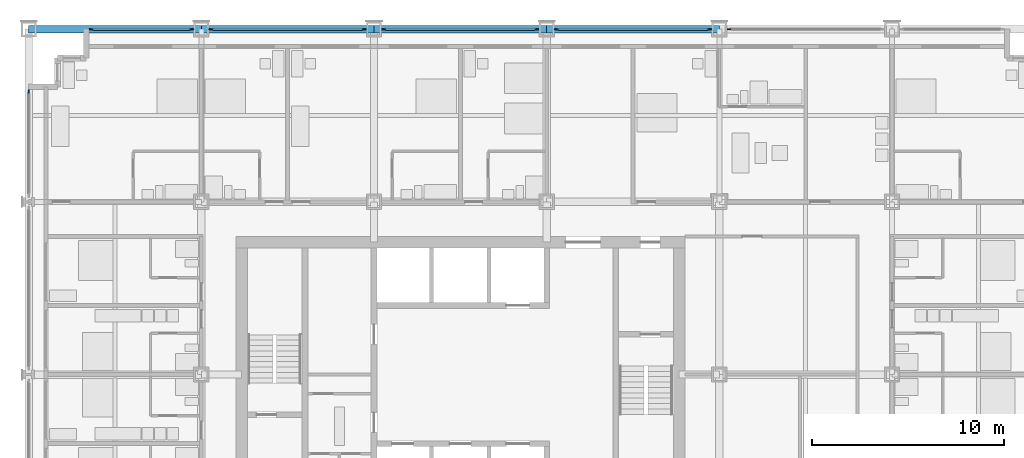
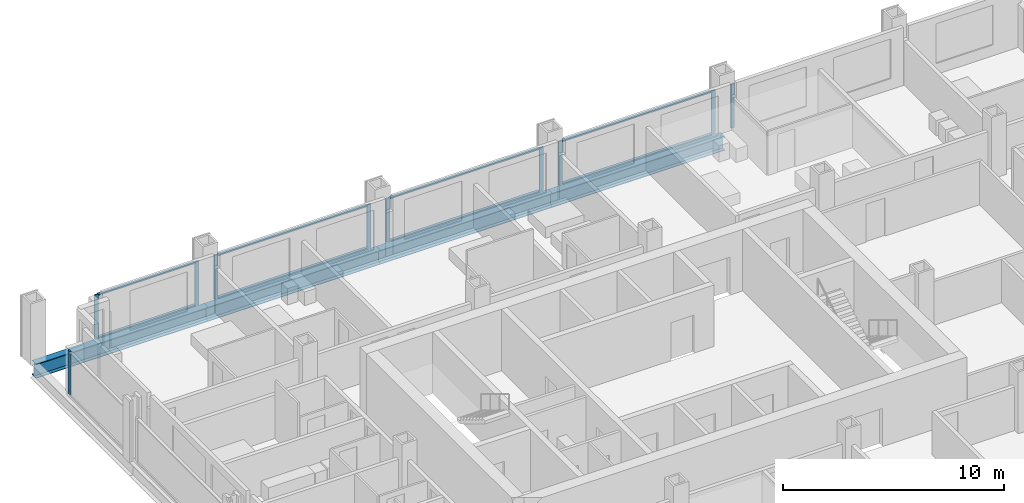
# One storey, part 7 of 18: 18 members, 4 beams, 6 elements without a shape of their own.
"""IFC4 building model written with IfcOpenShell, lengths in metres."""

from ifc_helpers import new_model, si_unit, direction, frame, origin, origin_2d, place, context, subcontext, project, spatial, rectangle, i_section, extrude, material, material_profile, profile_set, type_object, element, aggregate, save


model = new_model("IFC4")

# Units and contexts
model_context = context("Model", 3, precision=1e-05, world=origin(), true_north=direction((0.0, 1.0)))
body_context = subcontext(model_context, "Body", "Model", "MODEL_VIEW")
ifc_project = project(units=[si_unit("LENGTHUNIT", "METRE"), si_unit("AREAUNIT", "SQUARE_METRE"), si_unit("VOLUMEUNIT", "CUBIC_METRE"), si_unit("PLANEANGLEUNIT", "RADIAN"), si_unit("MASSUNIT", "GRAM", prefix="KILO")], contexts=[model_context])

# Site, building, storey
site_placement = place(None, origin())
site = spatial("IfcSite", under=ifc_project, at=site_placement, CompositionType="ELEMENT")
building_placement = place(site_placement, origin())
building = spatial("IfcBuilding", under=site, at=building_placement, Name="Loomwork Tower", CompositionType="ELEMENT")
storey_placement = place(building_placement, frame((0.0, 0.0, 51.800048828125)))
storey = spatial("IfcBuildingStorey", under=building, at=storey_placement, Name="L12", CompositionType="ELEMENT", Elevation=51.800048828125)

# Curtain wall, members
ifc_material_1 = material(Name="Aluminium curtain wall frame", Category="aluminium")
curtain_wall_type = type_object("IfcCurtainWallType", Name="Outer skin glazing hotel", PredefinedType="NOTDEFINED", material=ifc_material_1)
curtain_wall_1_placement = place(storey_placement, origin())
curtain_wall_1 = element("IfcCurtainWall", 1, at=curtain_wall_1_placement, inside=storey, type_object=curtain_wall_type, Name="Outer skin glazing hotel cw/N-0", PredefinedType="NOTDEFINED")
ifc_material_2 = material(Name="Aluminium curtain wall frame", Category="aluminium")
ifc_material_profile_1 = material_profile(ifc_material_2, rectangle(XDim=0.06494140625, YDim=0.199951171875, at=origin_2d()), Name="AL 65x200")
ifc_profile_set_1 = profile_set([ifc_material_profile_1], Name="Aluminium curtain wall frame")
member_type_1 = type_object("IfcMemberType", Name="Outer skin glazing hotel mullion", PredefinedType="MULLION", material=ifc_profile_set_1)
member_1_placement = place(storey_placement, frame((8.5, 36.0, 0.0), z_axis=(0.0, 0.0, 1.0), x_axis=(0.0, -1.0, 0.0)))
member_1 = element("IfcMember", 2, at=member_1_placement, type_object=member_type_1, Name="CW1 mullion 1", PredefinedType="MULLION", context=body_context, shape_type="SweptSolid", body=[
    extrude(rectangle(XDim=0.06494140625, YDim=0.199951171875, at=origin_2d()), origin(), (0.0, 0.0, 1.0), 2.420166015625),
])
member_2_placement = place(storey_placement, frame((3.25, 36.0, 0.0), z_axis=(0.0, 0.0, 1.0), x_axis=(0.0, -1.0, 0.0)))
member_2 = element("IfcMember", 3, at=member_2_placement, type_object=member_type_1, Name="CW1 mullion 2", PredefinedType="MULLION", context=body_context, shape_type="SweptSolid", body=[
    extrude(rectangle(XDim=0.06494140625, YDim=0.199951171875, at=origin_2d()), origin(), (0.0, 0.0, 1.0), 2.420166015625),
])

curtain_wall_2_placement = place(storey_placement, origin())
curtain_wall_2 = element("IfcCurtainWall", 4, at=curtain_wall_2_placement, inside=storey, type_object=curtain_wall_type, Name="Outer skin glazing hotel cw/N-9", PredefinedType="NOTDEFINED")
member_3_placement = place(storey_placement, frame((17.5, 36.0, 0.0), z_axis=(0.0, 0.0, 1.0), x_axis=(0.0, -1.0, 0.0)))
member_3 = element("IfcMember", 5, at=member_3_placement, type_object=member_type_1, Name="CW1 mullion 1", PredefinedType="MULLION", context=body_context, shape_type="SweptSolid", body=[
    extrude(rectangle(XDim=0.06494140625, YDim=0.199951171875, at=origin_2d()), origin(), (0.0, 0.0, 1.0), 2.420166015625),
])
member_4_placement = place(storey_placement, frame((9.5, 36.0, 0.0), z_axis=(0.0, 0.0, 1.0), x_axis=(0.0, -1.0, 0.0)))
member_4 = element("IfcMember", 6, at=member_4_placement, type_object=member_type_1, Name="CW1 mullion 2", PredefinedType="MULLION", context=body_context, shape_type="SweptSolid", body=[
    extrude(rectangle(XDim=0.06494140625, YDim=0.199951171875, at=origin_2d()), origin(), (0.0, 0.0, 1.0), 2.420166015625),
])

curtain_wall_3_placement = place(storey_placement, origin())
curtain_wall_3 = element("IfcCurtainWall", 7, at=curtain_wall_3_placement, inside=storey, type_object=curtain_wall_type, Name="Outer skin glazing hotel cw/N-18", PredefinedType="NOTDEFINED")
member_5_placement = place(storey_placement, frame((26.5, 36.0, 0.0), z_axis=(0.0, 0.0, 1.0), x_axis=(0.0, -1.0, 0.0)))
member_5 = element("IfcMember", 8, at=member_5_placement, type_object=member_type_1, Name="CW1 mullion 1", PredefinedType="MULLION", context=body_context, shape_type="SweptSolid", body=[
    extrude(rectangle(XDim=0.06494140625, YDim=0.199951171875, at=origin_2d()), origin(), (0.0, 0.0, 1.0), 2.420166015625),
])
member_6_placement = place(storey_placement, frame((18.5, 36.0, 0.0), z_axis=(0.0, 0.0, 1.0), x_axis=(0.0, -1.0, 0.0)))
member_6 = element("IfcMember", 9, at=member_6_placement, type_object=member_type_1, Name="CW1 mullion 2", PredefinedType="MULLION", context=body_context, shape_type="SweptSolid", body=[
    extrude(rectangle(XDim=0.06494140625, YDim=0.199951171875, at=origin_2d()), origin(), (0.0, 0.0, 1.0), 2.420166015625),
])

curtain_wall_4_placement = place(storey_placement, origin())
curtain_wall_4 = element("IfcCurtainWall", 10, at=curtain_wall_4_placement, inside=storey, type_object=curtain_wall_type, Name="Outer skin glazing hotel cw/N-27", PredefinedType="NOTDEFINED")
member_7_placement = place(storey_placement, frame((35.5, 36.0, 0.0), z_axis=(0.0, 0.0, 1.0), x_axis=(0.0, -1.0, 0.0)))
member_7 = element("IfcMember", 11, at=member_7_placement, type_object=member_type_1, Name="CW1 mullion 1", PredefinedType="MULLION", context=body_context, shape_type="SweptSolid", body=[
    extrude(rectangle(XDim=0.06494140625, YDim=0.199951171875, at=origin_2d()), origin(), (0.0, 0.0, 1.0), 2.420166015625),
])
member_8_placement = place(storey_placement, frame((27.5, 36.0, 0.0), z_axis=(0.0, 0.0, 1.0), x_axis=(0.0, -1.0, 0.0)))
member_8 = element("IfcMember", 12, at=member_8_placement, type_object=member_type_1, Name="CW1 mullion 2", PredefinedType="MULLION", context=body_context, shape_type="SweptSolid", body=[
    extrude(rectangle(XDim=0.06494140625, YDim=0.199951171875, at=origin_2d()), origin(), (0.0, 0.0, 1.0), 2.420166015625),
])

# Curtain wall, member
curtain_wall_5_placement = place(storey_placement, origin())
curtain_wall_5 = element("IfcCurtainWall", 13, at=curtain_wall_5_placement, inside=storey, type_object=curtain_wall_type, Name="Outer skin glazing hotel cw/N-36", PredefinedType="NOTDEFINED")
member_9_placement = place(storey_placement, frame((36.5, 36.0, 0.0), z_axis=(0.0, 0.0, 1.0), x_axis=(0.0, -1.0, 0.0)))
member_9 = element("IfcMember", 14, at=member_9_placement, type_object=member_type_1, Name="CW1 mullion 2", PredefinedType="MULLION", context=body_context, shape_type="SweptSolid", body=[
    extrude(rectangle(XDim=0.06494140625, YDim=0.199951171875, at=origin_2d()), origin(), (0.0, 0.0, 1.0), 2.420166015625),
])
aggregate(curtain_wall_5, [member_9])

curtain_wall_6_placement = place(storey_placement, origin())
curtain_wall_6 = element("IfcCurtainWall", 15, at=curtain_wall_6_placement, inside=storey, type_object=curtain_wall_type, Name="Outer skin glazing hotel cw/W-27", PredefinedType="NOTDEFINED")
member_10_placement = place(storey_placement, frame((0.0, 32.75, 0.0), z_axis=(0.0, 0.0, 1.0), x_axis=(1.0, 0.0, 0.0)))
member_10 = element("IfcMember", 16, at=member_10_placement, type_object=member_type_1, Name="CW1 mullion 1", PredefinedType="MULLION", context=body_context, shape_type="SweptSolid", body=[
    extrude(rectangle(XDim=0.06494140625, YDim=0.199951171875, at=origin_2d()), origin(), (0.0, 0.0, 1.0), 2.420166015625),
])
aggregate(curtain_wall_6, [member_10])

# Member
ifc_material_3 = material(Name="Aluminium curtain wall frame", Category="aluminium")
ifc_material_profile_2 = material_profile(ifc_material_3, rectangle(XDim=0.14990234375, YDim=0.06494140625, at=origin_2d()), Name="AL 65x150")
ifc_profile_set_2 = profile_set([ifc_material_profile_2], Name="Aluminium curtain wall frame")
member_type_2 = type_object("IfcMemberType", Name="Outer skin glazing hotel transom", PredefinedType="USERDEFINED", material=ifc_profile_set_2)
member_11_placement = place(storey_placement, frame((8.39990234375, 36.0, 0.032470703125), z_axis=(-1.0, 0.0, 0.0), x_axis=(0.0, -1.0, 0.0)))
member_11 = element("IfcMember", 17, at=member_11_placement, type_object=member_type_2, Name="CW1 transom 1.1", ObjectType="TRANSOM", PredefinedType="USERDEFINED", context=body_context, shape_type="SweptSolid", body=[
    extrude(rectangle(XDim=0.14990234375, YDim=0.06494140625, at=origin_2d()), origin(), (0.0, 0.0, 1.0), 5.0498046875),
])

member_12_placement = place(storey_placement, frame((8.39990234375, 36.0, 2.3876953125), z_axis=(-1.0, 0.0, 0.0), x_axis=(0.0, -1.0, 0.0)))
member_12 = element("IfcMember", 18, at=member_12_placement, type_object=member_type_2, Name="CW1 transom 1.2", ObjectType="TRANSOM", PredefinedType="USERDEFINED", context=body_context, shape_type="SweptSolid", body=[
    extrude(rectangle(XDim=0.14990234375, YDim=0.06494140625, at=origin_2d()), origin(), (0.0, 0.0, 1.0), 5.0498046875),
])

aggregate(curtain_wall_1, [member_1, member_2, member_11, member_12])

member_13_placement = place(storey_placement, frame((17.39990234375, 36.0, 0.032470703125), z_axis=(-1.0, 0.0, 0.0), x_axis=(0.0, -1.0, 0.0)))
member_13 = element("IfcMember", 19, at=member_13_placement, type_object=member_type_2, Name="CW1 transom 1.1", ObjectType="TRANSOM", PredefinedType="USERDEFINED", context=body_context, shape_type="SweptSolid", body=[
    extrude(rectangle(XDim=0.14990234375, YDim=0.06494140625, at=origin_2d()), origin(), (0.0, 0.0, 1.0), 7.7998046875),
])

member_14_placement = place(storey_placement, frame((17.39990234375, 36.0, 2.3876953125), z_axis=(-1.0, 0.0, 0.0), x_axis=(0.0, -1.0, 0.0)))
member_14 = element("IfcMember", 20, at=member_14_placement, type_object=member_type_2, Name="CW1 transom 1.2", ObjectType="TRANSOM", PredefinedType="USERDEFINED", context=body_context, shape_type="SweptSolid", body=[
    extrude(rectangle(XDim=0.14990234375, YDim=0.06494140625, at=origin_2d()), origin(), (0.0, 0.0, 1.0), 7.7998046875),
])

aggregate(curtain_wall_2, [member_3, member_4, member_13, member_14])

member_15_placement = place(storey_placement, frame((26.39990234375, 36.0, 0.032470703125), z_axis=(-1.0, 0.0, 0.0), x_axis=(0.0, -1.0, 0.0)))
member_15 = element("IfcMember", 21, at=member_15_placement, type_object=member_type_2, Name="CW1 transom 1.1", ObjectType="TRANSOM", PredefinedType="USERDEFINED", context=body_context, shape_type="SweptSolid", body=[
    extrude(rectangle(XDim=0.14990234375, YDim=0.06494140625, at=origin_2d()), origin(), (0.0, 0.0, 1.0), 7.7998046875),
])

member_16_placement = place(storey_placement, frame((26.39990234375, 36.0, 2.3876953125), z_axis=(-1.0, 0.0, 0.0), x_axis=(0.0, -1.0, 0.0)))
member_16 = element("IfcMember", 22, at=member_16_placement, type_object=member_type_2, Name="CW1 transom 1.2", ObjectType="TRANSOM", PredefinedType="USERDEFINED", context=body_context, shape_type="SweptSolid", body=[
    extrude(rectangle(XDim=0.14990234375, YDim=0.06494140625, at=origin_2d()), origin(), (0.0, 0.0, 1.0), 7.7998046875),
])

aggregate(curtain_wall_3, [member_5, member_6, member_15, member_16])

member_17_placement = place(storey_placement, frame((35.39990234375, 36.0, 0.032470703125), z_axis=(-1.0, 0.0, 0.0), x_axis=(0.0, -1.0, 0.0)))
member_17 = element("IfcMember", 23, at=member_17_placement, type_object=member_type_2, Name="CW1 transom 1.1", ObjectType="TRANSOM", PredefinedType="USERDEFINED", context=body_context, shape_type="SweptSolid", body=[
    extrude(rectangle(XDim=0.14990234375, YDim=0.06494140625, at=origin_2d()), origin(), (0.0, 0.0, 1.0), 7.7998046875),
])

member_18_placement = place(storey_placement, frame((35.39990234375, 36.0, 2.3876953125), z_axis=(-1.0, 0.0, 0.0), x_axis=(0.0, -1.0, 0.0)))
member_18 = element("IfcMember", 24, at=member_18_placement, type_object=member_type_2, Name="CW1 transom 1.2", ObjectType="TRANSOM", PredefinedType="USERDEFINED", context=body_context, shape_type="SweptSolid", body=[
    extrude(rectangle(XDim=0.14990234375, YDim=0.06494140625, at=origin_2d()), origin(), (0.0, 0.0, 1.0), 7.7998046875),
])

aggregate(curtain_wall_4, [member_7, member_8, member_17, member_18])

# Beams
ifc_material_4 = material(Name="Steel ASTM A992", Category="steel")
ifc_material_profile_3 = material_profile(ifc_material_4, i_section(OverallWidth=0.381103515625, OverallDepth=0.77978515625, WebThickness=0.01806640625, FlangeThickness=0.0302734375, at=origin_2d()), Name="W30x191")
ifc_profile_set_3 = profile_set([ifc_material_profile_3], Name="Steel ASTM A992")
beam_type = type_object("IfcBeamType", Name="SPANDREL GIRDER W30x191", PredefinedType="SPANDREL", material=ifc_profile_set_3)
for number, where, z_axis, x_axis, name in (
    (25, (0.0, 36.0, -0.58984375), (1.0, 0.0, 0.0), (0.0, 1.0, 0.0), "Spandrel Girder H/2-H/3 L12"),
    (26, (9.0, 36.0, -0.58984375), (1.0, 0.0, 0.0), (0.0, 1.0, 0.0), "Spandrel Girder H/3-H/4 L12"),
    (27, (18.0, 36.0, -0.58984375), (1.0, 0.0, 0.0), (0.0, 1.0, 0.0), "Spandrel Girder H/4-H/5 L12"),
    (28, (27.0, 36.0, -0.58984375), (1.0, 0.0, 0.0), (0.0, 1.0, 0.0), "Spandrel Girder H/5-H/6 L12"),
):
    element("IfcBeam", number, at=place(storey_placement, frame(where, z_axis=z_axis, x_axis=x_axis)), inside=storey, type_object=beam_type, Name=name, PredefinedType="SPANDREL", context=body_context, shape_type="SweptSolid", body=[
        extrude(i_section(OverallWidth=0.381103515625, OverallDepth=0.77978515625, WebThickness=0.01806640625, FlangeThickness=0.0302734375, at=origin_2d()), origin(), (0.0, 0.0, 1.0), 9.0),
    ])

save(model, "model.ifc")
